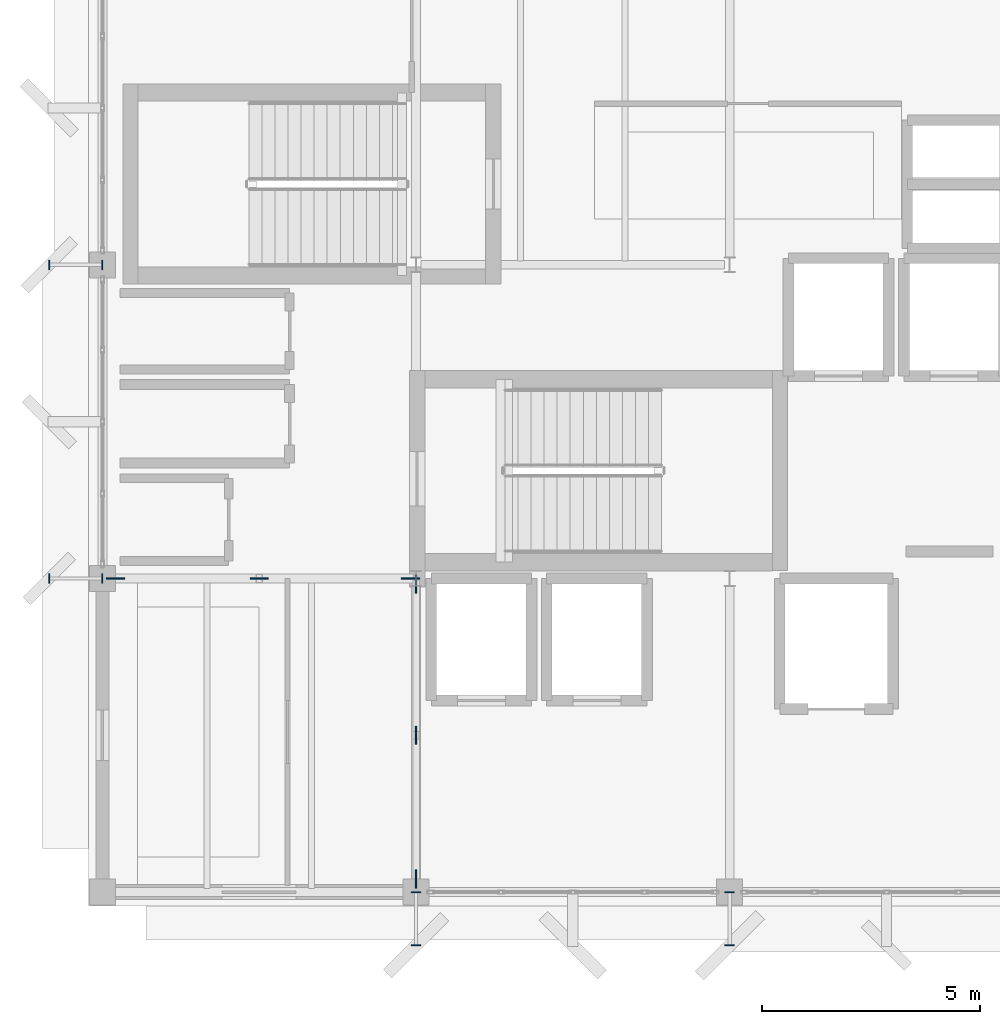
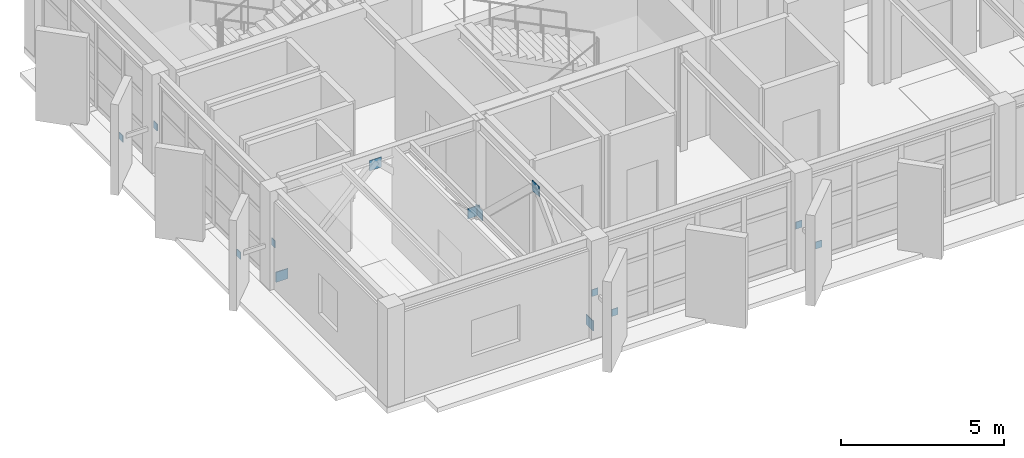
# One storey, part 13 of 15: 14 discrete accessories.
"""IFC4 building model written with IfcOpenShell, lengths in metres."""

import ifcopenshell
import ifcopenshell.guid

model = None  # the IFC model being written
_history = None  # IfcOwnerHistory: only IFC2X3 demands one
_inside = {}  # id of a spatial element -> (the spatial element, [elements in it])
_under = {}  # id of a project, library or spatial element -> (it, [spatial elements below it])
_declared = {}  # id of a project -> (the project, [libraries it declares])
_typed = {}  # id of a type object -> (the type object, [elements of that type])
_made_of = {}  # id of a material, layer set ... -> (it, [elements and type objects made of it])


def new_model(schema):
    """Start an empty IFC model of exactly this schema.

    Asked for "IFC4X3", IfcOpenShell would pick the latest addendum, in which some entities
    have other attributes; the version numbers below select the first issue.
    IFC2X3 requires an IfcOwnerHistory on every rooted entity: one is made here for all.
    """
    global model, _history
    if schema == "IFC4X3":
        model = ifcopenshell.file(schema_version=(4, 3, 0, 0))
    else:
        model = ifcopenshell.file(schema=schema)
    _inside.clear()
    _under.clear()
    _declared.clear()
    _typed.clear()
    _made_of.clear()
    _history = None
    if model.schema == "IFC2X3":
        org = make("IfcOrganization", Name="unknown")
        user = make(
            "IfcPersonAndOrganization",
            ThePerson=make("IfcPerson", FamilyName="unknown"),
            TheOrganization=org,
        )
        app = make(
            "IfcApplication",
            ApplicationDeveloper=org,
            Version="unknown",
            ApplicationFullName="unknown",
            ApplicationIdentifier="unknown",
        )
        _history = make(
            "IfcOwnerHistory",
            OwningUser=user,
            OwningApplication=app,
            ChangeAction="ADDED",
            CreationDate=0,
        )
    return model


def make(cls, **values):
    """One entity of the class cls with the attributes given. An attribute that is None is left unset."""
    return model.create_entity(
        cls, **{name: value for name, value in values.items() if value is not None}
    )


def rooted(cls, **values):
    """An entity with a GlobalId (a new one), such as an element, a storey or a relation."""
    return make(cls, GlobalId=ifcopenshell.guid.new(), OwnerHistory=_history, **values)


def si_unit(unit_type, name, prefix=None):
    """IfcSIUnit, for example si_unit("LENGTHUNIT", "METRE", prefix="MILLI")."""
    return make("IfcSIUnit", UnitType=unit_type, Prefix=prefix, Name=name)


def assignment(units):
    """IfcUnitAssignment: the units of a project."""
    return None if units is None else make("IfcUnitAssignment", Units=units)


def point(xyz):
    """IfcCartesianPoint."""
    return None if xyz is None else make("IfcCartesianPoint", Coordinates=xyz)


def direction(xyz):
    """IfcDirection."""
    return None if xyz is None else make("IfcDirection", DirectionRatios=xyz)


def frame(location, z_axis=None, x_axis=None):
    """IfcAxis2Placement3D, a coordinate frame: its origin and axes. An axis left out is left unset."""
    return make(
        "IfcAxis2Placement3D",
        Location=point(location),
        Axis=direction(z_axis),
        RefDirection=direction(x_axis),
    )


def frame_2d(location, x_axis=None):
    """IfcAxis2Placement2D, a coordinate frame in the plane: its origin and x axis."""
    return make(
        "IfcAxis2Placement2D", Location=point(location), RefDirection=direction(x_axis)
    )


def origin():
    """The frame at (0, 0, 0) with its axes left unset."""
    return frame((0.0, 0.0, 0.0))


def origin_2d():
    """The frame at (0, 0) in the plane with its x axis left unset."""
    return frame_2d((0.0, 0.0))


def place(relative_to, where):
    """IfcLocalPlacement: puts the frame where relative to a parent placement (None: the world)."""
    return make(
        "IfcLocalPlacement", PlacementRelTo=relative_to, RelativePlacement=where
    )


def context(
    kind, dimensions, precision=None, world=None, true_north=None, identifier=None
):
    """IfcGeometricRepresentationContext, for example the 3D "Model" context."""
    return make(
        "IfcGeometricRepresentationContext",
        ContextIdentifier=identifier,
        ContextType=kind,
        CoordinateSpaceDimension=dimensions,
        Precision=precision,
        WorldCoordinateSystem=world,
        TrueNorth=true_north,
    )


def subcontext(parent, identifier, kind, view, scale=None):
    """IfcGeometricRepresentationSubContext, for example "Body" below "Model"."""
    return make(
        "IfcGeometricRepresentationSubContext",
        ContextIdentifier=identifier,
        ContextType=kind,
        ParentContext=parent,
        TargetScale=scale,
        TargetView=view,
    )


def project(units=None, contexts=None):
    """IfcProject with its units and contexts."""
    return rooted(
        "IfcProject",
        Name="project",
        RepresentationContexts=contexts,
        UnitsInContext=assignment(units),
    )


def spatial(cls, under=None, at=None, **own):
    """A site, building, storey or space (cls), placed at a placement, below another one or the project."""
    s = rooted(cls, ObjectPlacement=at, **own)
    if under is not None:
        _under.setdefault(under.id(), (under, []))[1].append(s)
    return s


def profile(cls, at=None, kind="AREA", **sizes):
    """A parametric profile (cls). Its sizes go by their IFC names, for example OverallWidth=200.0."""
    return make(cls, ProfileType=kind, Position=at, **sizes)


def rectangle(**sizes):
    """IfcRectangleProfileDef."""
    return profile("IfcRectangleProfileDef", **sizes)


def extrude(swept, where, along, depth):
    """IfcExtrudedAreaSolid: the profile swept, set in the frame where, extruded along a direction by depth."""
    return make(
        "IfcExtrudedAreaSolid",
        SweptArea=swept,
        Position=where,
        ExtrudedDirection=direction(along),
        Depth=depth,
    )


def shape(context_of_items, identifier, shape_type, items):
    """IfcShapeRepresentation: the items that make up one representation, for example the "Body"."""
    return make(
        "IfcShapeRepresentation",
        ContextOfItems=context_of_items,
        RepresentationIdentifier=identifier,
        RepresentationType=shape_type,
        Items=items,
    )


def material(Name=None, Category=None):
    """IfcMaterial."""
    return make("IfcMaterial", Name=Name, Category=Category)


def made_of(thing, what):
    """Note that an element or type object is made of a material, layer set ...; save() writes the relation."""
    if what is not None:
        _made_of.setdefault(what.id(), (what, []))[1].append(thing)
    return thing


def type_object(cls, material=None, **own):
    """A type object (cls), such as IfcWallType, which elements share."""
    return made_of(rooted(cls, **own), material)


def element(
    cls,
    number,
    at=None,
    inside=None,
    cuts=None,
    type_object=None,
    material=None,
    context=None,
    identifier="Body",
    shape_type=None,
    held_by="IfcProductDefinitionShape",
    body=None,
    shapes=None,
    **own,
):
    """One element of the class cls, such as IfcWall. Its Tag is "e" and its number.

    at: its placement. inside: the storey or other place that contains it. cuts: it is an
    opening in that element (IfcRelVoidsElement). A single representation is given by context,
    identifier, shape_type and body (its items); several are given by shapes. held_by: the class
    of the entity that holds the representations. save() writes the other relations.
    """
    e = rooted(cls, Tag="e%d" % number, ObjectPlacement=at, **own)
    if body is not None:
        shapes = [shape(context, identifier, shape_type, body)]
    if shapes is not None:
        e.Representation = make(held_by, Representations=shapes)
    if inside is not None:
        _inside.setdefault(inside.id(), (inside, []))[1].append(e)
    if cuts is not None:
        rooted(
            "IfcRelVoidsElement", RelatingBuildingElement=cuts, RelatedOpeningElement=e
        )
    if type_object is not None:
        _typed.setdefault(type_object.id(), (type_object, []))[1].append(e)
    return made_of(e, material)


def aggregate(whole, parts):
    """IfcRelAggregates: a whole, such as a stair, and the parts it consists of."""
    return rooted("IfcRelAggregates", RelatingObject=whole, RelatedObjects=parts)


def save(model, path):
    """Write the relations noted so far, then the file.

    IfcRelAggregates (storeys below a building ...), IfcRelContainedInSpatialStructure (elements
    in a storey), IfcRelDefinesByType, IfcRelAssociatesMaterial and IfcRelDeclares: one each for
    every whole, place, type object, material and project.
    """
    for whole, parts in _under.values():
        aggregate(whole, parts)
    for where, things in _inside.values():
        rooted(
            "IfcRelContainedInSpatialStructure",
            RelatedElements=things,
            RelatingStructure=where,
        )
    for kind, things in _typed.values():
        rooted("IfcRelDefinesByType", RelatedObjects=things, RelatingType=kind)
    for what, things in _made_of.values():
        rooted("IfcRelAssociatesMaterial", RelatedObjects=things, RelatingMaterial=what)
    for by, libraries in _declared.values():
        rooted("IfcRelDeclares", RelatingContext=by, RelatedDefinitions=libraries)
    model.write(path)


model = new_model("IFC4")

# Units and contexts
model_context = context("Model", 3, precision=1e-05, world=origin(), true_north=direction((0.0, 1.0)))
body_context = subcontext(model_context, "Body", "Model", "MODEL_VIEW")
ifc_project = project(units=[si_unit("LENGTHUNIT", "METRE"), si_unit("AREAUNIT", "SQUARE_METRE"), si_unit("VOLUMEUNIT", "CUBIC_METRE"), si_unit("PLANEANGLEUNIT", "RADIAN"), si_unit("MASSUNIT", "GRAM", prefix="KILO")], contexts=[model_context])

# Site, building, storey
site_placement = place(None, origin())
site = spatial("IfcSite", under=ifc_project, at=site_placement, CompositionType="ELEMENT")
building_placement = place(site_placement, origin())
building = spatial("IfcBuilding", under=site, at=building_placement, Name="Kandorven Conservatory and Botanical Research Centre", CompositionType="ELEMENT")
storey_placement = place(building_placement, frame((0.0, 0.0, 48.300048828125)))
storey = spatial("IfcBuildingStorey", under=building, at=storey_placement, Name="L12", CompositionType="ELEMENT", Elevation=48.300048828125)

# Discrete accessories
ifc_material_1 = material(Name="Steel S355 (IS 2062 E350)", Category="steel")
discrete_accessory_type_1 = type_object("IfcDiscreteAccessoryType", Name="BraceGussetPlate", PredefinedType="BRACKET", material=ifc_material_1)
for number, where, z_axis, x_axis, name in (
    (1, (6.300048828125, 13.199951171875, -0.010009765625), (0.0, 0.0, 1.0), (1.0, 0.0, 0.0), "Welded chevron brace gusset plate L12 X-W"),
    (2, (9.60009765625, 13.199951171875, 3.0), (0.0, 0.0, 1.0), (1.0, 0.0, 0.0), "Welded chevron brace gusset plate L12 X-M"),
    (3, (13.074951171875, 13.199951171875, -0.010009765625), (0.0, 0.0, 1.0), (1.0, 0.0, 0.0), "Welded chevron brace gusset plate L12 X-E"),
):
    element("IfcDiscreteAccessory", number, at=place(storey_placement, frame(where, z_axis=z_axis, x_axis=x_axis)), inside=storey, type_object=discrete_accessory_type_1, Name=name, PredefinedType="BRACKET", context=body_context, shape_type="SweptSolid", body=[
        extrude(rectangle(XDim=0.419921875, YDim=0.028076171875, at=origin_2d()), origin(), (0.0, 0.0, 1.0), 0.3798828125),
    ])
for number, where, z_axis, x_axis, name in (
    (4, (13.199951171875, 6.300048828125, -0.010009765625), (0.0, 0.0, 1.0), (1.0, 0.0, 0.0), "Welded chevron brace gusset plate L12 Y-S"),
    (5, (13.199951171875, 9.60009765625, 3.0), (0.0, 0.0, 1.0), (1.0, 0.0, 0.0), "Welded chevron brace gusset plate L12 Y-M"),
    (6, (13.199951171875, 13.074951171875, -0.010009765625), (0.0, 0.0, 1.0), (1.0, 0.0, 0.0), "Welded chevron brace gusset plate L12 Y-N"),
):
    element("IfcDiscreteAccessory", number, at=place(storey_placement, frame(where, z_axis=z_axis, x_axis=x_axis)), inside=storey, type_object=discrete_accessory_type_1, Name=name, PredefinedType="BRACKET", context=body_context, shape_type="SweptSolid", body=[
        extrude(rectangle(XDim=0.028076171875, YDim=0.419921875, at=origin_2d()), origin(), (0.0, 0.0, 1.0), 0.3798828125),
    ])
ifc_material_2 = material(Name="Steel S355 (IS 2062 E350)", Category="steel")
discrete_accessory_type_2 = type_object("IfcDiscreteAccessoryType", Name="SteelGussetPlate", PredefinedType="BRACKET", material=ifc_material_2)
for number, where, z_axis, x_axis, name in (
    (7, (13.199951171875, 6.0, 1.3701171875), (0.0, 0.0, 1.0), (1.0, 0.0, 0.0), "Welded steel strut end-plate GUS-01 #97A"),
    (8, (13.199951171875, 4.780029296875, 1.3701171875), (0.0, 0.0, 1.0), (1.0, 0.0, 0.0), "Welded steel strut end-plate GUS-01 #97B"),
    (9, (20.39990234375, 6.0, 1.3701171875), (0.0, 0.0, 1.0), (1.0, 0.0, 0.0), "Welded steel strut end-plate GUS-01 #99A"),
    (10, (20.39990234375, 4.780029296875, 1.3701171875), (0.0, 0.0, 1.0), (1.0, 0.0, 0.0), "Welded steel strut end-plate GUS-01 #99B"),
):
    element("IfcDiscreteAccessory", number, at=place(storey_placement, frame(where, z_axis=z_axis, x_axis=x_axis)), inside=storey, type_object=discrete_accessory_type_2, Name=name, PredefinedType="BRACKET", context=body_context, shape_type="SweptSolid", body=[
        extrude(rectangle(XDim=0.219970703125, YDim=0.02392578125, at=origin_2d()), origin(), (0.0, 0.0, 1.0), 0.260009765625),
    ])
for number, where, z_axis, x_axis, name in (
    (11, (6.0, 13.199951171875, 1.3701171875), (0.0, 0.0, 1.0), (1.0, 0.0, 0.0), "Welded steel strut end-plate GUS-01 #101A"),
    (12, (4.780029296875, 13.199951171875, 1.3701171875), (0.0, 0.0, 1.0), (1.0, 0.0, 0.0), "Welded steel strut end-plate GUS-01 #101B"),
    (13, (6.0, 20.39990234375, 1.3701171875), (0.0, 0.0, 1.0), (1.0, 0.0, 0.0), "Welded steel strut end-plate GUS-01 #103A"),
    (14, (4.780029296875, 20.39990234375, 1.3701171875), (0.0, 0.0, 1.0), (1.0, 0.0, 0.0), "Welded steel strut end-plate GUS-01 #103B"),
):
    element("IfcDiscreteAccessory", number, at=place(storey_placement, frame(where, z_axis=z_axis, x_axis=x_axis)), inside=storey, type_object=discrete_accessory_type_2, Name=name, PredefinedType="BRACKET", context=body_context, shape_type="SweptSolid", body=[
        extrude(rectangle(XDim=0.02392578125, YDim=0.219970703125, at=origin_2d()), origin(), (0.0, 0.0, 1.0), 0.260009765625),
    ])

save(model, "model.ifc")
